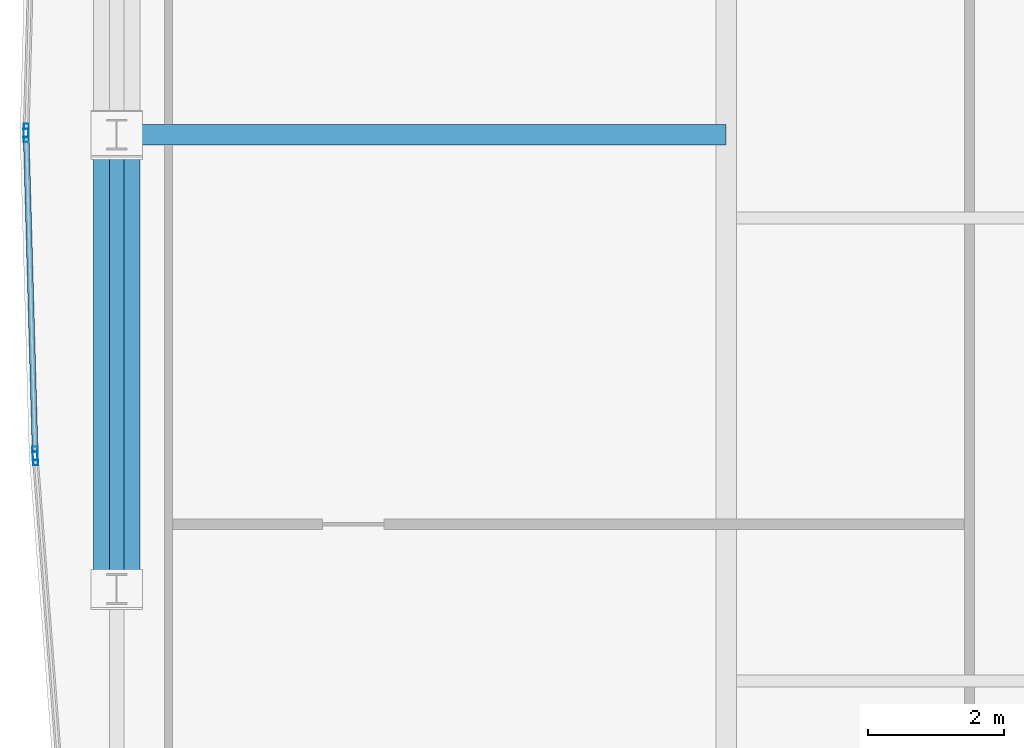
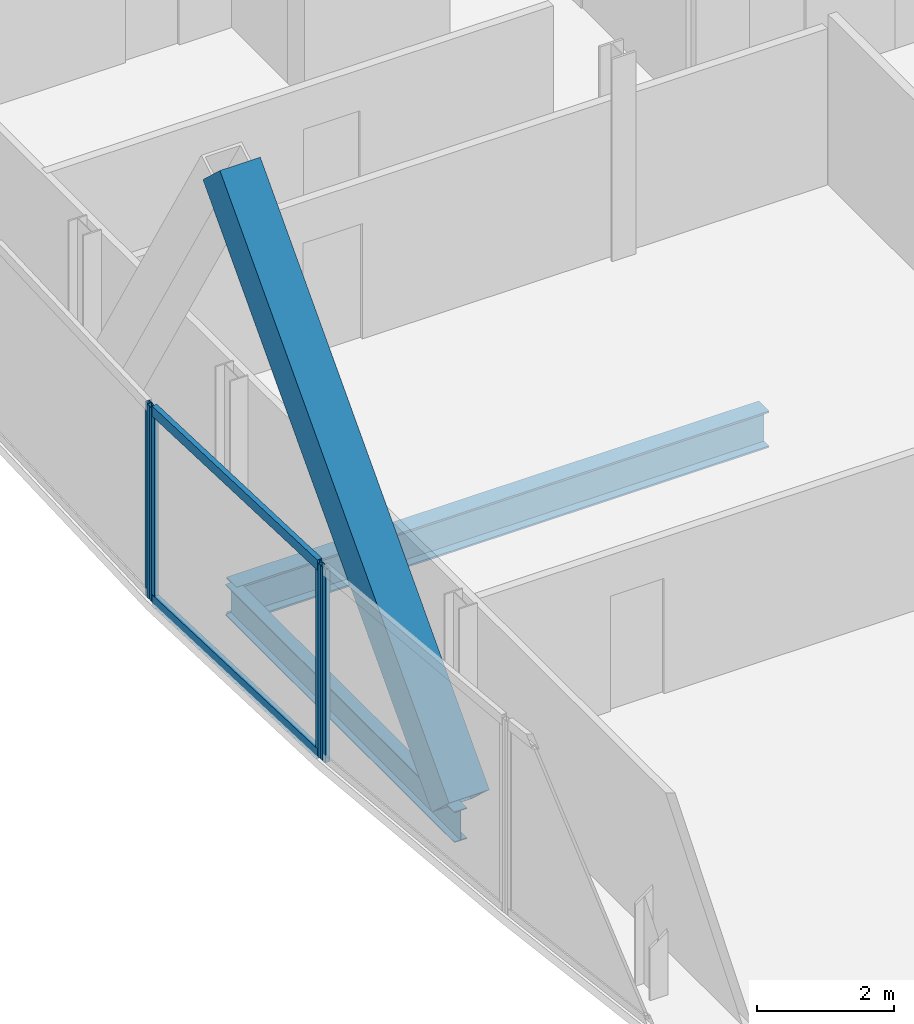
# One storey, part 10 of 30: 7 members, 2 beams, 3 elements without a shape of their own.
"""IFC4 building model written with IfcOpenShell, lengths in metres."""

from ifc_helpers import new_model, si_unit, direction, frame, origin, origin_2d, place, context, subcontext, project, spatial, hollow_rectangle, i_section, extrude, material, material_profile, profile_set, type_object, element, aggregate, save


model = new_model("IFC4")

# Units and contexts
model_context = context("Model", 3, precision=1e-05, world=origin(), true_north=direction((0.0, 1.0)))
body_context = subcontext(model_context, "Body", "Model", "MODEL_VIEW")
ifc_project = project(units=[si_unit("LENGTHUNIT", "METRE"), si_unit("AREAUNIT", "SQUARE_METRE"), si_unit("VOLUMEUNIT", "CUBIC_METRE"), si_unit("PLANEANGLEUNIT", "RADIAN"), si_unit("MASSUNIT", "GRAM", prefix="KILO")], contexts=[model_context])

# Site, building, storey
site_placement = place(None, origin())
site = spatial("IfcSite", under=ifc_project, at=site_placement, CompositionType="ELEMENT")
building_placement = place(site_placement, origin())
building = spatial("IfcBuilding", under=site, at=building_placement, Name="Khoronbel Lancet Exchange", CompositionType="ELEMENT")
storey_placement = place(building_placement, frame((0.0, 0.0, 284.199951171875)))
storey = spatial("IfcBuildingStorey", under=building, at=storey_placement, Name="L73", CompositionType="ELEMENT", Elevation=284.199951171875)

# Beams
ifc_material_1 = material(Name="Steel S355", Category="steel")
ifc_material_profile_1 = material_profile(ifc_material_1, i_section(OverallWidth=0.300048828125, OverallDepth=0.64990234375, WebThickness=0.01611328125, FlangeThickness=0.031005859375, at=origin_2d()), Name="HEB 650")
ifc_profile_set_1 = profile_set([ifc_material_profile_1], Name="Steel S355")
beam_type_1 = type_object("IfcBeamType", Name="BM-BG4", PredefinedType="BEAM", material=ifc_profile_set_1)
beam_1_placement = place(storey_placement, frame((9.27001953125, 31.425048828125, -0.48486328125), z_axis=(1.0, 0.0, 0.0), x_axis=(0.0, 1.0, 0.0)))
element("IfcBeam", 1, at=beam_1_placement, inside=storey, type_object=beam_type_1, Name="Level L73 west lens tie girder LG2W", PredefinedType="BEAM", context=body_context, shape_type="SweptSolid", body=[
    extrude(i_section(OverallWidth=0.300048828125, OverallDepth=0.64990234375, WebThickness=0.01611328125, FlangeThickness=0.031005859375, at=origin_2d()), origin(), (0.0, 0.0, 1.0), 8.955078125),
])
ifc_material_profile_2 = material_profile(ifc_material_1, i_section(OverallWidth=0.2099609375, OverallDepth=0.550048828125, WebThickness=0.010986328125, FlangeThickness=0.01708984375, at=origin_2d()), Name="IPE 550")
ifc_profile_set_2 = profile_set([ifc_material_profile_2], Name="Steel S355")
beam_type_2 = type_object("IfcBeamType", Name="BM-BSP3", PredefinedType="SPANDREL", material=ifc_profile_set_2)
beam_2_placement = place(storey_placement, frame((9.27001953125, 31.425048828125, -0.43505859375), z_axis=(0.0, -1.0, 0.0), x_axis=(1.0, 0.0, 0.0)))
element("IfcBeam", 2, at=beam_2_placement, inside=storey, type_object=beam_type_2, Name="Level L73 perimeter spandrel beam SP19", PredefinedType="SPANDREL", context=body_context, shape_type="SweptSolid", body=[
    extrude(i_section(OverallWidth=0.2099609375, OverallDepth=0.550048828125, WebThickness=0.010986328125, FlangeThickness=0.01708984375, at=origin_2d()), origin(), (0.0, 0.0, 1.0), 6.675048828125),
])

# Curtain wall, member
ifc_material_2 = material(Name="Low-E Solar Control Insulating Glass", Category="glass")
curtain_wall_type = type_object("IfcCurtainWallType", Name="CW-4", PredefinedType="NOTDEFINED", material=ifc_material_2)
curtain_wall_1_placement = place(storey_placement, origin())
curtain_wall_1 = element("IfcCurtainWall", 3, at=curtain_wall_1_placement, inside=storey, type_object=curtain_wall_type, Name="Unitised curtain wall CW-L73-E05", PredefinedType="NOTDEFINED")
ifc_material_3 = material(Name="Bronze-Anodised Aluminium 6063-T6", Category="aluminium")
ifc_material_profile_3 = material_profile(ifc_material_3, hollow_rectangle(XDim=0.074951171875, YDim=0.199951171875, WallThickness=0.0048828125, at=origin_2d()), Name="ALU MULLION 75x200")
ifc_profile_set_3 = profile_set([ifc_material_profile_3], Name="Bronze-Anodised Aluminium 6063-T6")
member_type_1 = type_object("IfcMemberType", Name="MEM-CWM2", PredefinedType="MULLION", material=ifc_profile_set_3)
member_1_placement = place(storey_placement, frame((8.07666015625, 26.667236328125, 0.0), z_axis=(0.0, 0.0, 1.0), x_axis=(-0.997045087155, -0.076818579658, 0.0)))
member_1 = element("IfcMember", 4, at=member_1_placement, type_object=member_type_1, Name="CW4 mullion 2", PredefinedType="MULLION", context=body_context, shape_type="SweptSolid", body=[
    extrude(hollow_rectangle(XDim=0.074951171875, YDim=0.199951171875, WallThickness=0.0048828125, at=origin_2d()), origin(), (0.0, 0.0, 1.0), 3.43994140625),
])
aggregate(curtain_wall_1, [member_1])

# Curtain wall, members
curtain_wall_2_placement = place(storey_placement, origin())
curtain_wall_2 = element("IfcCurtainWall", 5, at=curtain_wall_2_placement, inside=storey, type_object=curtain_wall_type, Name="Unitised curtain wall CW-L73-E06", PredefinedType="NOTDEFINED")
member_2_placement = place(storey_placement, frame((8.07275390625, 26.7421875, 0.0), z_axis=(0.0, 0.0, 1.0), x_axis=(-0.999602126917, -0.028206167106, 0.0)))
member_2 = element("IfcMember", 6, at=member_2_placement, type_object=member_type_1, Name="CW4 mullion 1", PredefinedType="MULLION", context=body_context, shape_type="SweptSolid", body=[
    extrude(hollow_rectangle(XDim=0.074951171875, YDim=0.199951171875, WallThickness=0.0048828125, at=origin_2d()), origin(), (0.0, 0.0, 1.0), 3.43994140625),
])
member_3_placement = place(storey_placement, frame((7.941162109375, 31.41259765625, 0.0), z_axis=(0.0, 0.0, 1.0), x_axis=(-0.999602126917, -0.028206167106, 0.0)))
member_3 = element("IfcMember", 7, at=member_3_placement, type_object=member_type_1, Name="CW4 mullion 2", PredefinedType="MULLION", context=body_context, shape_type="SweptSolid", body=[
    extrude(hollow_rectangle(XDim=0.074951171875, YDim=0.199951171875, WallThickness=0.0048828125, at=origin_2d()), origin(), (0.0, 0.0, 1.0), 3.43994140625),
])

# Curtain wall, member
curtain_wall_3_placement = place(storey_placement, origin())
curtain_wall_3 = element("IfcCurtainWall", 8, at=curtain_wall_3_placement, inside=storey, type_object=curtain_wall_type, Name="Unitised curtain wall CW-L73-E07", PredefinedType="NOTDEFINED")
member_4_placement = place(storey_placement, frame((7.941162109375, 31.487548828125, 0.0), z_axis=(0.0, 0.0, 1.0), x_axis=(-0.999602126917, 0.028206167106, 0.0)))
member_4 = element("IfcMember", 9, at=member_4_placement, type_object=member_type_1, Name="CW4 mullion 1", PredefinedType="MULLION", context=body_context, shape_type="SweptSolid", body=[
    extrude(hollow_rectangle(XDim=0.074951171875, YDim=0.199951171875, WallThickness=0.0048828125, at=origin_2d()), origin(), (0.0, 0.0, 1.0), 3.43994140625),
])
aggregate(curtain_wall_3, [member_4])

# Member
ifc_material_profile_4 = material_profile(ifc_material_3, hollow_rectangle(XDim=0.0849609375, YDim=0.179931640625, WallThickness=0.0048828125, at=origin_2d()), Name="ALU TRANSOM 85x180")
ifc_profile_set_4 = profile_set([ifc_material_profile_4], Name="Bronze-Anodised Aluminium 6063-T6")
member_type_2 = type_object("IfcMemberType", Name="MEM-CWT1", PredefinedType="USERDEFINED", material=ifc_profile_set_4)
member_5_placement = place(storey_placement, frame((8.07177734375, 26.77978515625, 0.04248046875), z_axis=(-0.028200447088, 0.999602288305, 0.0), x_axis=(-0.999602288305, -0.028200447088, 0.0)))
member_5 = element("IfcMember", 10, at=member_5_placement, type_object=member_type_2, Name="CW4 transom 1.1", ObjectType="TRANSOM", PredefinedType="USERDEFINED", context=body_context, shape_type="SweptSolid", body=[
    extrude(hollow_rectangle(XDim=0.0849609375, YDim=0.179931640625, WallThickness=0.0048828125, at=origin_2d()), origin(), (0.0, 0.0, 1.0), 4.596923828125),
])

member_6_placement = place(storey_placement, frame((8.07177734375, 26.77978515625, 3.3974609375), z_axis=(-0.028200447088, 0.999602288305, 0.0), x_axis=(-0.999602288305, -0.028200447088, 0.0)))
member_6 = element("IfcMember", 11, at=member_6_placement, type_object=member_type_2, Name="CW4 transom 1.2", ObjectType="TRANSOM", PredefinedType="USERDEFINED", context=body_context, shape_type="SweptSolid", body=[
    extrude(hollow_rectangle(XDim=0.0849609375, YDim=0.179931640625, WallThickness=0.0048828125, at=origin_2d()), origin(), (0.0, 0.0, 1.0), 4.596923828125),
])

aggregate(curtain_wall_2, [member_2, member_3, member_5, member_6])

ifc_material_4 = material(Name="Steel S460", Category="steel")
ifc_material_profile_5 = material_profile(ifc_material_4, hollow_rectangle(XDim=0.679931640625, YDim=0.679931640625, WallThickness=0.044921875, at=origin_2d()), Name="BOX 680x680x45")
ifc_profile_set_5 = profile_set([ifc_material_profile_5], Name="Steel S460")
member_type_3 = type_object("IfcMemberType", Name="MEM-MB3", PredefinedType="BRACE", material=ifc_profile_set_5)
member_7_placement = place(storey_placement, frame((9.27001953125, 24.75, 0.0), z_axis=(0.0, 0.679870035637, 0.733332622105), x_axis=(-1.0, 0.0, 0.0)))
element("IfcMember", 12, at=member_7_placement, inside=storey, type_object=member_type_3, Name="Perimeter lancet brace tier 25 W-P-L", PredefinedType="BRACE", context=body_context, shape_type="SweptSolid", body=[
    extrude(hollow_rectangle(XDim=0.679931640625, YDim=0.679931640625, WallThickness=0.044921875, at=origin_2d()), origin(), (0.0, 0.0, 1.0), 9.818115234375),
])

save(model, "model.ifc")
